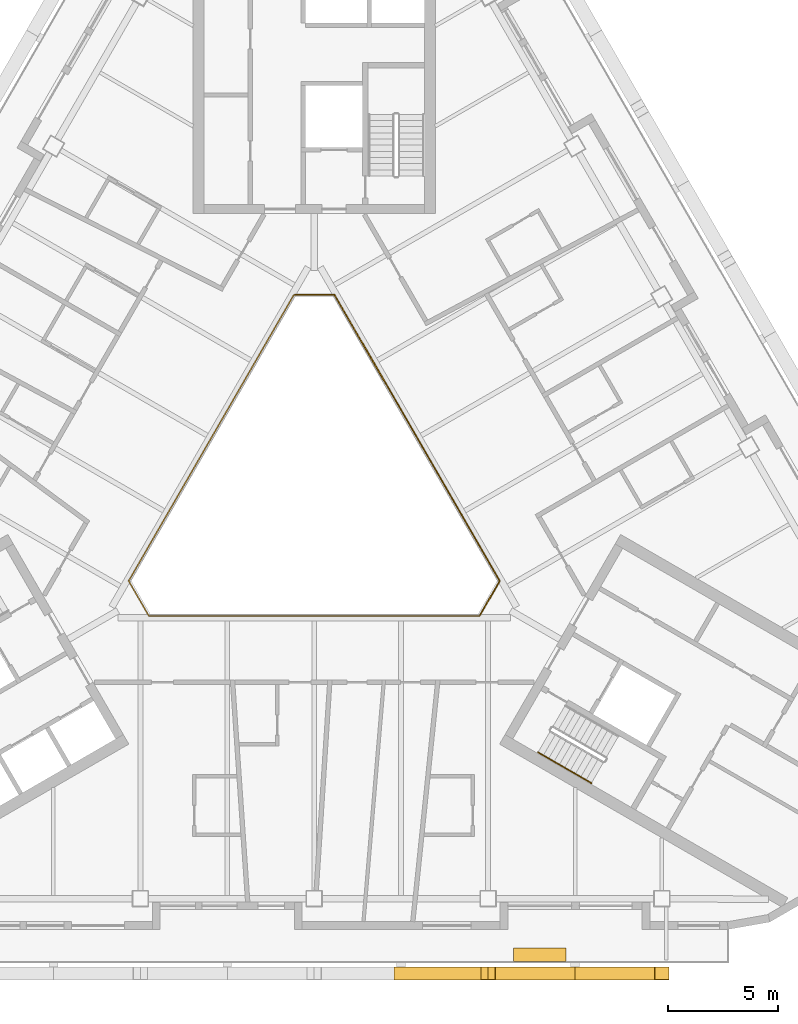
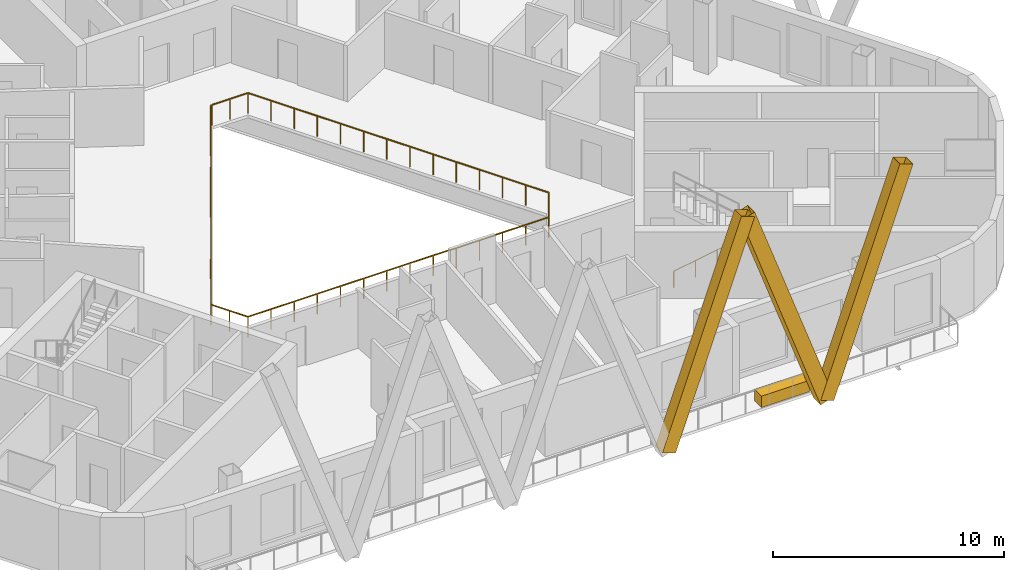
# One storey, part 11 of 14: 3 railings, 3 shading devices, 1 covering.
"""IFC4 building model written with IfcOpenShell, lengths in metres."""

from ifc_helpers import new_model, si_unit, direction, frame, origin, origin_2d, place, context, subcontext, project, spatial, rectangle, hollow_rectangle, circle, extrude, material, material_profile, profile_set, type_object, element, save


model = new_model("IFC4")

# Units and contexts
model_context = context("Model", 3, precision=1e-05, world=origin(), true_north=direction((0.0, 1.0)))
body_context = subcontext(model_context, "Body", "Model", "MODEL_VIEW")
ifc_project = project(units=[si_unit("LENGTHUNIT", "METRE"), si_unit("AREAUNIT", "SQUARE_METRE"), si_unit("VOLUMEUNIT", "CUBIC_METRE"), si_unit("PLANEANGLEUNIT", "RADIAN"), si_unit("MASSUNIT", "GRAM", prefix="KILO")], contexts=[model_context])

# Site, building, storey
site_placement = place(None, origin())
site = spatial("IfcSite", under=ifc_project, at=site_placement, CompositionType="ELEMENT")
building_placement = place(site_placement, origin())
building = spatial("IfcBuilding", under=site, at=building_placement, Name="Apuvela Tower Hotel", CompositionType="ELEMENT")
storey_placement = place(building_placement, frame((0.0, 0.0, 202.10009765625)))
storey = spatial("IfcBuildingStorey", under=building, at=storey_placement, Name="L49", CompositionType="ELEMENT", Elevation=202.10009765625)

# Railing
ifc_material_1 = material(Name="Stainless steel 316 handrail", Category="steel")
railing_type_1 = type_object("IfcRailingType", Name="COR-HANDRAIL-900", PredefinedType="HANDRAIL", material=ifc_material_1)
railing_1_placement = place(storey_placement, frame((10.1689453125, -11.5869140625, 0.16796875)))
element("IfcRailing", 1, at=railing_1_placement, inside=storey, type_object=railing_type_1, Name="L49 ST3 stair handrail 1", PredefinedType="HANDRAIL", context=body_context, shape_type="SweptSolid", body=[
    extrude(circle(Radius=0.02392578125, at=origin_2d()), frame((0.0, 0.0, 0.8759765625), z_axis=(0.742390482028, -0.42860119049, 0.514934356695), x_axis=(0.49998411664, 0.866034573852, 0.0)), (0.0, 0.0, 1.0), 3.26611328125),
    extrude(rectangle(XDim=0.0419921875, YDim=0.0419921875, at=origin_2d()), origin(), (0.0, 0.0, 1.0), 0.851806640625),
    extrude(rectangle(XDim=0.0419921875, YDim=0.0419921875, at=origin_2d()), frame((0.808349609375, -0.466552734375, 0.560546875)), (0.0, 0.0, 1.0), 0.851806640625),
    extrude(rectangle(XDim=0.0419921875, YDim=0.0419921875, at=origin_2d()), frame((1.616455078125, -0.933349609375, 1.121337890625)), (0.0, 0.0, 1.0), 0.851806640625),
    extrude(rectangle(XDim=0.0419921875, YDim=0.0419921875, at=origin_2d()), frame((2.4248046875, -1.39990234375, 1.681884765625)), (0.0, 0.0, 1.0), 0.851806640625),
])

# Shading devices
ifc_material_2 = material(Name="Aluminium 6063-T6, black anodised", Category="aluminium")
ifc_material_profile = material_profile(ifc_material_2, hollow_rectangle(XDim=0.60009765625, YDim=0.699951171875, WallThickness=0.011962890625, at=origin_2d()), Name="AL BOX 700x600x12")
ifc_profile_set = profile_set([ifc_material_profile], Name="Aluminium 6063-T6, black anodised")
shading_device_type = type_object("IfcShadingDeviceType", Name="ENV-FIN-700x600", PredefinedType="USERDEFINED", material=ifc_profile_set)
for number, where, z_axis, x_axis, name in (
    (2, (3.949951171875, -21.6298828125, -0.10009765625), (0.335254527156, 0.0, 0.942127593281), (0.0, 1.0, 0.0), "Lattice fin S446"),
    (3, (11.85009765625, -21.6298828125, -0.10009765625), (-0.335272919535, 0.0, 0.942121048181), (0.0, -1.0, 0.0), "Lattice fin S447"),
    (4, (11.85009765625, -21.6298828125, -0.10009765625), (0.335254527156, 0.0, 0.942127593281), (0.0, 1.0, 0.0), "Lattice fin S448"),
):
    element("IfcShadingDevice", number, at=place(storey_placement, frame(where, z_axis=z_axis, x_axis=x_axis)), inside=storey, type_object=shading_device_type, Name=name, ObjectType="FIN", PredefinedType="USERDEFINED", context=body_context, shape_type="SweptSolid", body=[
        extrude(hollow_rectangle(XDim=0.60009765625, YDim=0.699951171875, WallThickness=0.011962890625, at=origin_2d()), origin(), (0.0, 0.0, 1.0), 11.781982421875),
    ])

# Railings
ifc_material_3 = material(Name="Stainless steel 316 rail with laminated glass infill", Category="steel")
railing_type_2 = type_object("IfcRailingType", Name="ENV-GUARD-1100", PredefinedType="GUARDRAIL", material=ifc_material_3)
railing_2_placement = place(storey_placement, frame((-0.923828125, 9.199951171875, 0.0)))
element("IfcRailing", 5, at=railing_2_placement, inside=storey, type_object=railing_type_2, Name="Atrium void guard A L49", PredefinedType="GUARDRAIL", context=body_context, shape_type="SweptSolid", body=[
    extrude(rectangle(XDim=0.050048828125, YDim=0.050048828125, at=origin_2d()), frame((0.0, 0.0, 1.0751953125), z_axis=(-0.499990886379, -0.866030665472, 0.0), x_axis=(0.866030665472, -0.499990886379, 0.0)), (0.0, 0.0, 1.0), 15.010986328125),
    extrude(rectangle(XDim=0.050048828125, YDim=0.050048828125, at=origin_2d()), frame((-7.50537109375, -13.0, 1.0751953125), z_axis=(0.499962699187, -0.866046938348, 0.0), x_axis=(0.866046938348, 0.499962699187, 0.0)), (0.0, 0.0, 1.0), 1.847412109375),
    extrude(rectangle(XDim=0.050048828125, YDim=0.050048828125, at=origin_2d()), frame((-6.581787109375, -14.599853515625, 1.0751953125), z_axis=(1.0, 0.0, 0.0), x_axis=(0.0, 1.0, 0.0)), (0.0, 0.0, 1.0), 15.01123046875),
    extrude(rectangle(XDim=0.0400390625, YDim=0.0400390625, at=origin_2d()), origin(), (0.0, 0.0, 1.0), 1.050048828125),
    extrude(rectangle(XDim=0.0400390625, YDim=0.0400390625, at=origin_2d()), frame((-0.577392578125, -1.0, 0.0)), (0.0, 0.0, 1.0), 1.050048828125),
    extrude(rectangle(XDim=0.0400390625, YDim=0.0400390625, at=origin_2d()), frame((-1.15478515625, -2.0, 0.0)), (0.0, 0.0, 1.0), 1.050048828125),
    extrude(rectangle(XDim=0.0400390625, YDim=0.0400390625, at=origin_2d()), frame((-1.73193359375, -3.0, 0.0)), (0.0, 0.0, 1.0), 1.050048828125),
    extrude(rectangle(XDim=0.0400390625, YDim=0.0400390625, at=origin_2d()), frame((-2.309326171875, -4.0, 0.0)), (0.0, 0.0, 1.0), 1.050048828125),
    extrude(rectangle(XDim=0.0400390625, YDim=0.0400390625, at=origin_2d()), frame((-2.88671875, -5.0, 0.0)), (0.0, 0.0, 1.0), 1.050048828125),
    extrude(rectangle(XDim=0.0400390625, YDim=0.0400390625, at=origin_2d()), frame((-3.464111328125, -6.0, 0.0)), (0.0, 0.0, 1.0), 1.050048828125),
    extrude(rectangle(XDim=0.0400390625, YDim=0.0400390625, at=origin_2d()), frame((-4.041259765625, -7.0, 0.0)), (0.0, 0.0, 1.0), 1.050048828125),
    extrude(rectangle(XDim=0.0400390625, YDim=0.0400390625, at=origin_2d()), frame((-4.61865234375, -8.0, 0.0)), (0.0, 0.0, 1.0), 1.050048828125),
    extrude(rectangle(XDim=0.0400390625, YDim=0.0400390625, at=origin_2d()), frame((-5.196044921875, -9.0, 0.0)), (0.0, 0.0, 1.0), 1.050048828125),
    extrude(rectangle(XDim=0.0400390625, YDim=0.0400390625, at=origin_2d()), frame((-5.7734375, -10.0, 0.0)), (0.0, 0.0, 1.0), 1.050048828125),
    extrude(rectangle(XDim=0.0400390625, YDim=0.0400390625, at=origin_2d()), frame((-6.3505859375, -11.0, 0.0)), (0.0, 0.0, 1.0), 1.050048828125),
    extrude(rectangle(XDim=0.0400390625, YDim=0.0400390625, at=origin_2d()), frame((-6.927978515625, -12.0, 0.0)), (0.0, 0.0, 1.0), 1.050048828125),
    extrude(rectangle(XDim=0.0400390625, YDim=0.0400390625, at=origin_2d()), frame((-7.50537109375, -13.0, 0.0)), (0.0, 0.0, 1.0), 1.050048828125),
    extrude(rectangle(XDim=0.0400390625, YDim=0.0400390625, at=origin_2d()), frame((-7.04345703125, -13.7998046875, 0.0)), (0.0, 0.0, 1.0), 1.050048828125),
    extrude(rectangle(XDim=0.0400390625, YDim=0.0400390625, at=origin_2d()), frame((-6.581787109375, -14.599853515625, 0.0)), (0.0, 0.0, 1.0), 1.050048828125),
    extrude(rectangle(XDim=0.0400390625, YDim=0.0400390625, at=origin_2d()), frame((-5.427001953125, -14.599853515625, 0.0)), (0.0, 0.0, 1.0), 1.050048828125),
    extrude(rectangle(XDim=0.0400390625, YDim=0.0400390625, at=origin_2d()), frame((-4.2724609375, -14.599853515625, 0.0)), (0.0, 0.0, 1.0), 1.050048828125),
    extrude(rectangle(XDim=0.0400390625, YDim=0.0400390625, at=origin_2d()), frame((-3.11767578125, -14.599853515625, 0.0)), (0.0, 0.0, 1.0), 1.050048828125),
    extrude(rectangle(XDim=0.0400390625, YDim=0.0400390625, at=origin_2d()), frame((-1.962890625, -14.599853515625, 0.0)), (0.0, 0.0, 1.0), 1.050048828125),
    extrude(rectangle(XDim=0.0400390625, YDim=0.0400390625, at=origin_2d()), frame((-0.808349609375, -14.599853515625, 0.0)), (0.0, 0.0, 1.0), 1.050048828125),
    extrude(rectangle(XDim=0.0400390625, YDim=0.0400390625, at=origin_2d()), frame((0.346435546875, -14.599853515625, 0.0)), (0.0, 0.0, 1.0), 1.050048828125),
    extrude(rectangle(XDim=0.0400390625, YDim=0.0400390625, at=origin_2d()), frame((1.501220703125, -14.599853515625, 0.0)), (0.0, 0.0, 1.0), 1.050048828125),
    extrude(rectangle(XDim=0.0400390625, YDim=0.0400390625, at=origin_2d()), frame((2.656005859375, -14.599853515625, 0.0)), (0.0, 0.0, 1.0), 1.050048828125),
    extrude(rectangle(XDim=0.0400390625, YDim=0.0400390625, at=origin_2d()), frame((3.810546875, -14.599853515625, 0.0)), (0.0, 0.0, 1.0), 1.050048828125),
    extrude(rectangle(XDim=0.0400390625, YDim=0.0400390625, at=origin_2d()), frame((4.96533203125, -14.599853515625, 0.0)), (0.0, 0.0, 1.0), 1.050048828125),
    extrude(rectangle(XDim=0.0400390625, YDim=0.0400390625, at=origin_2d()), frame((6.1201171875, -14.599853515625, 0.0)), (0.0, 0.0, 1.0), 1.050048828125),
    extrude(rectangle(XDim=0.0400390625, YDim=0.0400390625, at=origin_2d()), frame((7.274658203125, -14.599853515625, 0.0)), (0.0, 0.0, 1.0), 1.050048828125),
    extrude(rectangle(XDim=0.0400390625, YDim=0.0400390625, at=origin_2d()), frame((8.429443359375, -14.599853515625, 0.0)), (0.0, 0.0, 1.0), 1.050048828125),
])
railing_3_placement = place(storey_placement, frame((7.53564453125, -5.347900390625, 0.0)))
element("IfcRailing", 6, at=railing_3_placement, inside=storey, type_object=railing_type_2, Name="Atrium void guard B L49", PredefinedType="GUARDRAIL", context=body_context, shape_type="SweptSolid", body=[
    extrude(rectangle(XDim=0.050048828125, YDim=0.050048828125, at=origin_2d()), frame((0.0, 0.0, 1.0751953125), z_axis=(0.499958946799, 0.866049104564, 0.0), x_axis=(-0.866049104564, 0.499958946799, 0.0)), (0.0, 0.0, 1.0), 1.787353515625),
    extrude(rectangle(XDim=0.050048828125, YDim=0.050048828125, at=origin_2d()), frame((0.8935546875, 1.5478515625, 1.0751953125), z_axis=(-0.499990886379, 0.866030665472, 0.0), x_axis=(-0.866030665472, -0.499990886379, 0.0)), (0.0, 0.0, 1.0), 15.010986328125),
    extrude(rectangle(XDim=0.050048828125, YDim=0.050048828125, at=origin_2d()), frame((-6.61181640625, 14.5478515625, 1.0751953125), z_axis=(-1.0, 0.0, 0.0), x_axis=(0.0, -1.0, 0.0)), (0.0, 0.0, 1.0), 1.78759765625),
    extrude(rectangle(XDim=0.0400390625, YDim=0.0400390625, at=origin_2d()), origin(), (0.0, 0.0, 1.0), 1.050048828125),
    extrude(rectangle(XDim=0.0400390625, YDim=0.0400390625, at=origin_2d()), frame((0.44677734375, 0.77392578125, 0.0)), (0.0, 0.0, 1.0), 1.050048828125),
    extrude(rectangle(XDim=0.0400390625, YDim=0.0400390625, at=origin_2d()), frame((0.8935546875, 1.5478515625, 0.0)), (0.0, 0.0, 1.0), 1.050048828125),
    extrude(rectangle(XDim=0.0400390625, YDim=0.0400390625, at=origin_2d()), frame((0.316162109375, 2.5478515625, 0.0)), (0.0, 0.0, 1.0), 1.050048828125),
    extrude(rectangle(XDim=0.0400390625, YDim=0.0400390625, at=origin_2d()), frame((-0.26123046875, 3.5478515625, 0.0)), (0.0, 0.0, 1.0), 1.050048828125),
    extrude(rectangle(XDim=0.0400390625, YDim=0.0400390625, at=origin_2d()), frame((-0.83837890625, 4.5478515625, 0.0)), (0.0, 0.0, 1.0), 1.050048828125),
    extrude(rectangle(XDim=0.0400390625, YDim=0.0400390625, at=origin_2d()), frame((-1.415771484375, 5.5478515625, 0.0)), (0.0, 0.0, 1.0), 1.050048828125),
    extrude(rectangle(XDim=0.0400390625, YDim=0.0400390625, at=origin_2d()), frame((-1.9931640625, 6.5478515625, 0.0)), (0.0, 0.0, 1.0), 1.050048828125),
    extrude(rectangle(XDim=0.0400390625, YDim=0.0400390625, at=origin_2d()), frame((-2.570556640625, 7.5478515625, 0.0)), (0.0, 0.0, 1.0), 1.050048828125),
    extrude(rectangle(XDim=0.0400390625, YDim=0.0400390625, at=origin_2d()), frame((-3.147705078125, 8.5478515625, 0.0)), (0.0, 0.0, 1.0), 1.050048828125),
    extrude(rectangle(XDim=0.0400390625, YDim=0.0400390625, at=origin_2d()), frame((-3.72509765625, 9.5478515625, 0.0)), (0.0, 0.0, 1.0), 1.050048828125),
    extrude(rectangle(XDim=0.0400390625, YDim=0.0400390625, at=origin_2d()), frame((-4.302490234375, 10.5478515625, 0.0)), (0.0, 0.0, 1.0), 1.050048828125),
    extrude(rectangle(XDim=0.0400390625, YDim=0.0400390625, at=origin_2d()), frame((-4.8798828125, 11.5478515625, 0.0)), (0.0, 0.0, 1.0), 1.050048828125),
    extrude(rectangle(XDim=0.0400390625, YDim=0.0400390625, at=origin_2d()), frame((-5.45703125, 12.5478515625, 0.0)), (0.0, 0.0, 1.0), 1.050048828125),
    extrude(rectangle(XDim=0.0400390625, YDim=0.0400390625, at=origin_2d()), frame((-6.034423828125, 13.5478515625, 0.0)), (0.0, 0.0, 1.0), 1.050048828125),
    extrude(rectangle(XDim=0.0400390625, YDim=0.0400390625, at=origin_2d()), frame((-6.61181640625, 14.5478515625, 0.0)), (0.0, 0.0, 1.0), 1.050048828125),
    extrude(rectangle(XDim=0.0400390625, YDim=0.0400390625, at=origin_2d()), frame((-7.505615234375, 14.5478515625, 0.0)), (0.0, 0.0, 1.0), 1.050048828125),
    extrude(rectangle(XDim=0.0400390625, YDim=0.0400390625, at=origin_2d()), frame((-8.3994140625, 14.5478515625, 0.0)), (0.0, 0.0, 1.0), 1.050048828125),
])

# Covering
ifc_material_4 = material(Name="Planting substrate and soil, planted")
covering_type = type_object("IfcCoveringType", Name="ENV-PLANTER-2400x600", PredefinedType="USERDEFINED", material=ifc_material_4)
covering_placement = place(storey_placement, frame((10.250244140625, -20.780029296875, -0.000244140625), z_axis=(0.0, 0.0, 1.0), x_axis=(1.0, 0.0, 0.0)))
element("IfcCovering", 7, at=covering_placement, inside=storey, type_object=covering_type, Name="Planter S2", ObjectType="PLANTER", PredefinedType="USERDEFINED", context=body_context, shape_type="SweptSolid", body=[
    extrude(rectangle(XDim=2.39990234375, YDim=0.60009765625, at=origin_2d()), origin(), (0.0, 0.0, 1.0), 0.60009765625),
])

save(model, "model.ifc")
